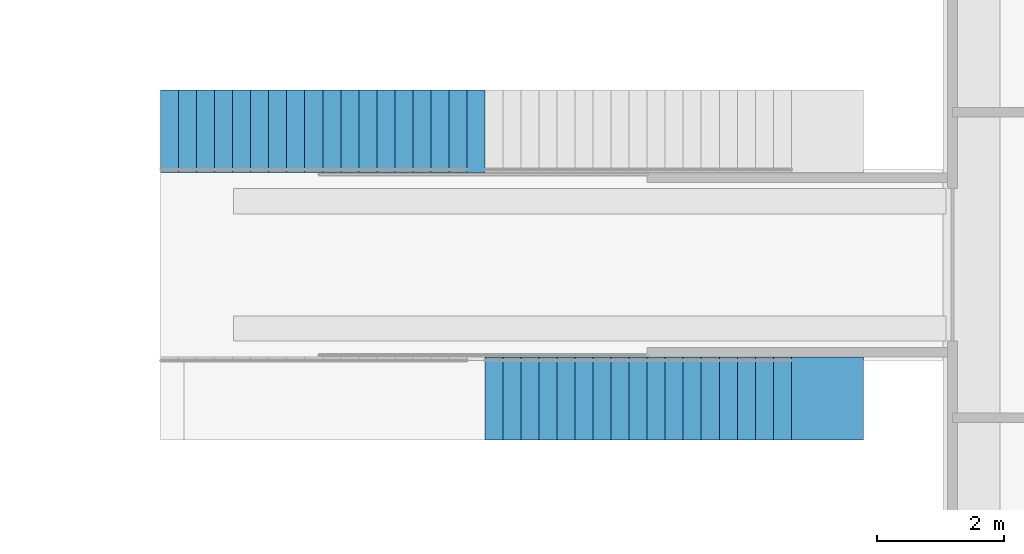
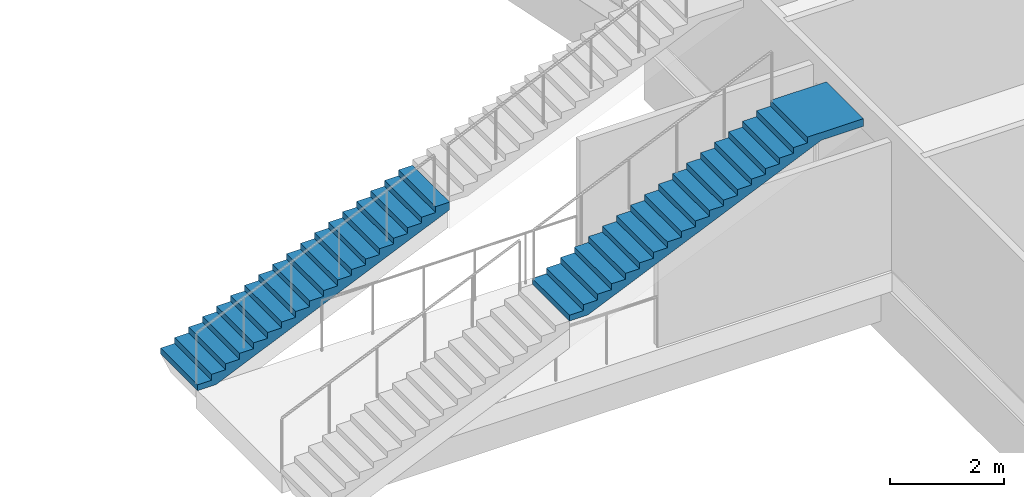
# One storey, part 140 of 175: 2 stair flights, 2 elements without a shape of their own.
"""IFC4 building model written with IfcOpenShell, lengths in metres."""

from ifc_helpers import new_model, si_unit, direction, frame, origin, place, context, subcontext, project, spatial, faceted_brep, material, type_object, element, aggregate, save


model = new_model("IFC4")

# Units and contexts
model_context = context("Model", 3, precision=1e-05, world=origin(), true_north=direction((0.0, 1.0)))
body_context = subcontext(model_context, "Body", "Model", "MODEL_VIEW")
ifc_project = project(units=[si_unit("LENGTHUNIT", "METRE"), si_unit("AREAUNIT", "SQUARE_METRE"), si_unit("VOLUMEUNIT", "CUBIC_METRE"), si_unit("PLANEANGLEUNIT", "RADIAN"), si_unit("MASSUNIT", "GRAM", prefix="KILO")], contexts=[model_context])

# Site, building, storey
site_placement = place(None, origin())
site = spatial("IfcSite", under=ifc_project, at=site_placement, CompositionType="ELEMENT")
building_placement = place(site_placement, origin())
building = spatial("IfcBuilding", under=site, at=building_placement, Name="Ogive Plaza Stadium", CompositionType="ELEMENT")
storey_placement = place(building_placement, origin())
storey = spatial("IfcBuildingStorey", under=building, at=storey_placement, Name="L00", CompositionType="ELEMENT", Elevation=0.0)

# Stair, stair flight
ifc_material_1 = material(Name="Concrete C40/50", Category="concrete")
stair_type = type_object("IfcStairType", Name="Aisle stair", PredefinedType="STRAIGHT_RUN_STAIR", material=ifc_material_1)
stair_1_placement = place(storey_placement, origin())
stair_1 = element("IfcStair", 1, at=stair_1_placement, inside=storey, type_object=stair_type, Name="Aisle stair SA01L", PredefinedType="STRAIGHT_RUN_STAIR")
ifc_material_2 = material(Name="Concrete C40/50", Category="concrete")
stair_flight_type = type_object("IfcStairFlightType", Name="Aisle stair flight", PredefinedType="STRAIGHT", material=ifc_material_2)
stair_flight_1_placement = place(storey_placement, frame((54.25, 42.89990234375, 2.25), z_axis=(0.0, 0.0, 1.0), x_axis=(1.0, 0.0, 0.0)))
stair_flight_1 = element("IfcStairFlight", 2, at=stair_flight_1_placement, type_object=stair_flight_type, Name="SA01L flight 2", NumberOfRisers=18, NumberOfTreads=17, PredefinedType="STRAIGHT", RiserHeight=0.125, TreadLength=0.283333333, context=body_context, shape_type="Brep", body=[
    faceted_brep([(0.371337890625, -0.64990234375, 0.0), (5.10009765625, -0.64990234375, 2.086181640625), (5.949951171875, -0.64990234375, 2.086181640625), (5.949951171875, -0.64990234375, 2.25), (4.816650390625, -0.64990234375, 2.25), (4.816650390625, -0.64990234375, 2.125), (4.533447265625, -0.64990234375, 2.125), (4.533447265625, -0.64990234375, 2.0), (4.25, -0.64990234375, 2.0), (4.25, -0.64990234375, 1.875), (3.966552734375, -0.64990234375, 1.875), (3.966552734375, -0.64990234375, 1.75), (3.683349609375, -0.64990234375, 1.75), (3.683349609375, -0.64990234375, 1.625), (3.39990234375, -0.64990234375, 1.625), (3.39990234375, -0.64990234375, 1.5), (3.11669921875, -0.64990234375, 1.5), (3.11669921875, -0.64990234375, 1.375), (2.833251953125, -0.64990234375, 1.375), (2.833251953125, -0.64990234375, 1.25), (2.550048828125, -0.64990234375, 1.25), (2.550048828125, -0.64990234375, 1.125), (2.2666015625, -0.64990234375, 1.125), (2.2666015625, -0.64990234375, 1.0), (1.9833984375, -0.64990234375, 1.0), (1.9833984375, -0.64990234375, 0.875), (1.699951171875, -0.64990234375, 0.875), (1.699951171875, -0.64990234375, 0.75), (1.416748046875, -0.64990234375, 0.75), (1.416748046875, -0.64990234375, 0.625), (1.13330078125, -0.64990234375, 0.625), (1.13330078125, -0.64990234375, 0.5), (0.85009765625, -0.64990234375, 0.5), (0.85009765625, -0.64990234375, 0.375), (0.566650390625, -0.64990234375, 0.375), (0.566650390625, -0.64990234375, 0.25), (0.283447265625, -0.64990234375, 0.25), (0.283447265625, -0.64990234375, 0.125), (0.0, -0.64990234375, 0.125), (0.0, -0.64990234375, 0.0), (0.0, 0.64990234375, 0.0), (0.0, 0.64990234375, 0.125), (0.283447265625, 0.64990234375, 0.125), (0.283447265625, 0.64990234375, 0.25), (0.566650390625, 0.64990234375, 0.25), (0.566650390625, 0.64990234375, 0.375), (0.85009765625, 0.64990234375, 0.375), (0.85009765625, 0.64990234375, 0.5), (1.13330078125, 0.64990234375, 0.5), (1.13330078125, 0.64990234375, 0.625), (1.416748046875, 0.64990234375, 0.625), (1.416748046875, 0.64990234375, 0.75), (1.699951171875, 0.64990234375, 0.75), (1.699951171875, 0.64990234375, 0.875), (1.9833984375, 0.64990234375, 0.875), (1.9833984375, 0.64990234375, 1.0), (2.2666015625, 0.64990234375, 1.0), (2.2666015625, 0.64990234375, 1.125), (2.550048828125, 0.64990234375, 1.125), (2.550048828125, 0.64990234375, 1.25), (2.833251953125, 0.64990234375, 1.25), (2.833251953125, 0.64990234375, 1.375), (3.11669921875, 0.64990234375, 1.375), (3.11669921875, 0.64990234375, 1.5), (3.39990234375, 0.64990234375, 1.5), (3.39990234375, 0.64990234375, 1.625), (3.683349609375, 0.64990234375, 1.625), (3.683349609375, 0.64990234375, 1.75), (3.966552734375, 0.64990234375, 1.75), (3.966552734375, 0.64990234375, 1.875), (4.25, 0.64990234375, 1.875), (4.25, 0.64990234375, 2.0), (4.533447265625, 0.64990234375, 2.0), (4.533447265625, 0.64990234375, 2.125), (4.816650390625, 0.64990234375, 2.125), (4.816650390625, 0.64990234375, 2.25), (5.949951171875, 0.64990234375, 2.25), (5.949951171875, 0.64990234375, 2.086181640625), (5.10009765625, 0.64990234375, 2.086181640625), (0.371337890625, 0.64990234375, 0.0), (0.371337890625, -0.324951171875, 0.0), (5.10009765625, -0.324951171875, 2.086181640625), (0.371337890625, 0.0, 0.0), (5.10009765625, 0.0, 2.086181640625), (0.371337890625, 0.324951171875, 0.0), (5.10009765625, 0.324951171875, 2.086181640625), (5.949951171875, -0.324951171875, 2.086181640625), (5.949951171875, 0.0, 2.086181640625), (5.949951171875, 0.324951171875, 2.086181640625), (5.949951171875, -0.324951171875, 2.25), (5.949951171875, 0.0, 2.25), (5.949951171875, 0.324951171875, 2.25), (4.816650390625, -0.324951171875, 2.25), (4.816650390625, 0.0, 2.25), (4.816650390625, 0.324951171875, 2.25), (4.816650390625, -0.324951171875, 2.125), (4.816650390625, 0.0, 2.125), (4.816650390625, 0.324951171875, 2.125), (4.533447265625, -0.324951171875, 2.125), (4.533447265625, 0.0, 2.125), (4.533447265625, 0.324951171875, 2.125), (4.533447265625, -0.324951171875, 2.0), (4.533447265625, 0.0, 2.0), (4.533447265625, 0.324951171875, 2.0), (4.25, -0.324951171875, 2.0), (4.25, 0.0, 2.0), (4.25, 0.324951171875, 2.0), (4.25, -0.324951171875, 1.875), (4.25, 0.0, 1.875), (4.25, 0.324951171875, 1.875), (3.966552734375, -0.324951171875, 1.875), (3.966552734375, 0.0, 1.875), (3.966552734375, 0.324951171875, 1.875), (3.966552734375, -0.324951171875, 1.75), (3.966552734375, 0.0, 1.75), (3.966552734375, 0.324951171875, 1.75), (3.683349609375, -0.324951171875, 1.75), (3.683349609375, 0.0, 1.75), (3.683349609375, 0.324951171875, 1.75), (3.683349609375, -0.324951171875, 1.625), (3.683349609375, 0.0, 1.625), (3.683349609375, 0.324951171875, 1.625), (3.39990234375, -0.324951171875, 1.625), (3.39990234375, 0.0, 1.625), (3.39990234375, 0.324951171875, 1.625), (3.39990234375, -0.324951171875, 1.5), (3.39990234375, 0.0, 1.5), (3.39990234375, 0.324951171875, 1.5), (3.11669921875, -0.324951171875, 1.5), (3.11669921875, 0.0, 1.5), (3.11669921875, 0.324951171875, 1.5), (3.11669921875, -0.324951171875, 1.375), (3.11669921875, 0.0, 1.375), (3.11669921875, 0.324951171875, 1.375), (2.833251953125, -0.324951171875, 1.375), (2.833251953125, 0.0, 1.375), (2.833251953125, 0.324951171875, 1.375), (2.833251953125, -0.324951171875, 1.25), (2.833251953125, 0.0, 1.25), (2.833251953125, 0.324951171875, 1.25), (2.550048828125, -0.324951171875, 1.25), (2.550048828125, 0.0, 1.25), (2.550048828125, 0.324951171875, 1.25), (2.550048828125, -0.324951171875, 1.125), (2.550048828125, 0.0, 1.125), (2.550048828125, 0.324951171875, 1.125), (2.2666015625, -0.324951171875, 1.125), (2.2666015625, 0.0, 1.125), (2.2666015625, 0.324951171875, 1.125), (2.2666015625, -0.324951171875, 1.0), (2.2666015625, 0.0, 1.0), (2.2666015625, 0.324951171875, 1.0), (1.9833984375, -0.324951171875, 1.0), (1.9833984375, 0.0, 1.0), (1.9833984375, 0.324951171875, 1.0), (1.9833984375, -0.324951171875, 0.875), (1.9833984375, 0.0, 0.875), (1.9833984375, 0.324951171875, 0.875), (1.699951171875, -0.324951171875, 0.875), (1.699951171875, 0.0, 0.875), (1.699951171875, 0.324951171875, 0.875), (1.699951171875, -0.324951171875, 0.75), (1.699951171875, 0.0, 0.75), (1.699951171875, 0.324951171875, 0.75), (1.416748046875, -0.324951171875, 0.75), (1.416748046875, 0.0, 0.75), (1.416748046875, 0.324951171875, 0.75), (1.416748046875, -0.324951171875, 0.625), (1.416748046875, 0.0, 0.625), (1.416748046875, 0.324951171875, 0.625), (1.13330078125, -0.324951171875, 0.625), (1.13330078125, 0.0, 0.625), (1.13330078125, 0.324951171875, 0.625), (1.13330078125, -0.324951171875, 0.5), (1.13330078125, 0.0, 0.5), (1.13330078125, 0.324951171875, 0.5), (0.85009765625, -0.324951171875, 0.5), (0.85009765625, 0.0, 0.5), (0.85009765625, 0.324951171875, 0.5), (0.85009765625, -0.324951171875, 0.375), (0.85009765625, 0.0, 0.375), (0.85009765625, 0.324951171875, 0.375), (0.566650390625, -0.324951171875, 0.375), (0.566650390625, 0.0, 0.375), (0.566650390625, 0.324951171875, 0.375), (0.566650390625, -0.324951171875, 0.25), (0.566650390625, 0.0, 0.25), (0.566650390625, 0.324951171875, 0.25), (0.283447265625, -0.324951171875, 0.25), (0.283447265625, 0.0, 0.25), (0.283447265625, 0.324951171875, 0.25), (0.283447265625, -0.324951171875, 0.125), (0.283447265625, 0.0, 0.125), (0.283447265625, 0.324951171875, 0.125), (0.0, -0.324951171875, 0.125), (0.0, 0.0, 0.125), (0.0, 0.324951171875, 0.125), (0.0, -0.324951171875, 0.0), (0.0, 0.0, 0.0), (0.0, 0.324951171875, 0.0)], [[[0, 1, 2, 3, 4, 5, 6, 7, 8, 9, 10, 11, 12, 13, 14, 15, 16, 17, 18, 19, 20, 21, 22, 23, 24, 25, 26, 27, 28, 29, 30, 31, 32, 33, 34, 35, 36, 37, 38, 39]], [[40, 41, 42, 43, 44, 45, 46, 47, 48, 49, 50, 51, 52, 53, 54, 55, 56, 57, 58, 59, 60, 61, 62, 63, 64, 65, 66, 67, 68, 69, 70, 71, 72, 73, 74, 75, 76, 77, 78, 79]], [[0, 80, 81, 1]], [[80, 82, 83, 81]], [[82, 84, 85, 83]], [[84, 79, 78, 85]], [[1, 81, 86, 2]], [[81, 83, 87, 86]], [[83, 85, 88, 87]], [[85, 78, 77, 88]], [[2, 86, 89, 3]], [[86, 87, 90, 89]], [[87, 88, 91, 90]], [[88, 77, 76, 91]], [[3, 89, 92, 4]], [[89, 90, 93, 92]], [[90, 91, 94, 93]], [[91, 76, 75, 94]], [[4, 92, 95, 5]], [[92, 93, 96, 95]], [[93, 94, 97, 96]], [[94, 75, 74, 97]], [[5, 95, 98, 6]], [[95, 96, 99, 98]], [[96, 97, 100, 99]], [[97, 74, 73, 100]], [[6, 98, 101, 7]], [[98, 99, 102, 101]], [[99, 100, 103, 102]], [[100, 73, 72, 103]], [[7, 101, 104, 8]], [[101, 102, 105, 104]], [[102, 103, 106, 105]], [[103, 72, 71, 106]], [[8, 104, 107, 9]], [[104, 105, 108, 107]], [[105, 106, 109, 108]], [[106, 71, 70, 109]], [[9, 107, 110, 10]], [[107, 108, 111, 110]], [[108, 109, 112, 111]], [[109, 70, 69, 112]], [[10, 110, 113, 11]], [[110, 111, 114, 113]], [[111, 112, 115, 114]], [[112, 69, 68, 115]], [[11, 113, 116, 12]], [[113, 114, 117, 116]], [[114, 115, 118, 117]], [[115, 68, 67, 118]], [[12, 116, 119, 13]], [[116, 117, 120, 119]], [[117, 118, 121, 120]], [[118, 67, 66, 121]], [[13, 119, 122, 14]], [[119, 120, 123, 122]], [[120, 121, 124, 123]], [[121, 66, 65, 124]], [[14, 122, 125, 15]], [[122, 123, 126, 125]], [[123, 124, 127, 126]], [[124, 65, 64, 127]], [[15, 125, 128, 16]], [[125, 126, 129, 128]], [[126, 127, 130, 129]], [[127, 64, 63, 130]], [[16, 128, 131, 17]], [[128, 129, 132, 131]], [[129, 130, 133, 132]], [[130, 63, 62, 133]], [[17, 131, 134, 18]], [[131, 132, 135, 134]], [[132, 133, 136, 135]], [[133, 62, 61, 136]], [[18, 134, 137, 19]], [[134, 135, 138, 137]], [[135, 136, 139, 138]], [[136, 61, 60, 139]], [[19, 137, 140, 20]], [[137, 138, 141, 140]], [[138, 139, 142, 141]], [[139, 60, 59, 142]], [[20, 140, 143, 21]], [[140, 141, 144, 143]], [[141, 142, 145, 144]], [[142, 59, 58, 145]], [[21, 143, 146, 22]], [[143, 144, 147, 146]], [[144, 145, 148, 147]], [[145, 58, 57, 148]], [[22, 146, 149, 23]], [[146, 147, 150, 149]], [[147, 148, 151, 150]], [[148, 57, 56, 151]], [[23, 149, 152, 24]], [[149, 150, 153, 152]], [[150, 151, 154, 153]], [[151, 56, 55, 154]], [[24, 152, 155, 25]], [[152, 153, 156, 155]], [[153, 154, 157, 156]], [[154, 55, 54, 157]], [[25, 155, 158, 26]], [[155, 156, 159, 158]], [[156, 157, 160, 159]], [[157, 54, 53, 160]], [[26, 158, 161, 27]], [[158, 159, 162, 161]], [[159, 160, 163, 162]], [[160, 53, 52, 163]], [[27, 161, 164, 28]], [[161, 162, 165, 164]], [[162, 163, 166, 165]], [[163, 52, 51, 166]], [[28, 164, 167, 29]], [[164, 165, 168, 167]], [[165, 166, 169, 168]], [[166, 51, 50, 169]], [[29, 167, 170, 30]], [[167, 168, 171, 170]], [[168, 169, 172, 171]], [[169, 50, 49, 172]], [[30, 170, 173, 31]], [[170, 171, 174, 173]], [[171, 172, 175, 174]], [[172, 49, 48, 175]], [[31, 173, 176, 32]], [[173, 174, 177, 176]], [[174, 175, 178, 177]], [[175, 48, 47, 178]], [[32, 176, 179, 33]], [[176, 177, 180, 179]], [[177, 178, 181, 180]], [[178, 47, 46, 181]], [[33, 179, 182, 34]], [[179, 180, 183, 182]], [[180, 181, 184, 183]], [[181, 46, 45, 184]], [[34, 182, 185, 35]], [[182, 183, 186, 185]], [[183, 184, 187, 186]], [[184, 45, 44, 187]], [[35, 185, 188, 36]], [[185, 186, 189, 188]], [[186, 187, 190, 189]], [[187, 44, 43, 190]], [[36, 188, 191, 37]], [[188, 189, 192, 191]], [[189, 190, 193, 192]], [[190, 43, 42, 193]], [[37, 191, 194, 38]], [[191, 192, 195, 194]], [[192, 193, 196, 195]], [[193, 42, 41, 196]], [[38, 194, 197, 39]], [[194, 195, 198, 197]], [[195, 196, 199, 198]], [[196, 41, 40, 199]], [[39, 197, 80, 0]], [[197, 198, 82, 80]], [[198, 199, 84, 82]], [[199, 40, 79, 84]]]),
])
aggregate(stair_1, [stair_flight_1])

stair_2_placement = place(storey_placement, origin())
stair_2 = element("IfcStair", 3, at=stair_2_placement, inside=storey, type_object=stair_type, Name="Aisle stair SA01R", PredefinedType="STRAIGHT_RUN_STAIR")
stair_flight_2_placement = place(storey_placement, frame((49.14990234375, 47.10009765625, 0.0), z_axis=(0.0, 0.0, 1.0), x_axis=(1.0, 0.0, 0.0)))
stair_flight_2 = element("IfcStairFlight", 4, at=stair_flight_2_placement, type_object=stair_flight_type, Name="SA01R flight 1", NumberOfRisers=18, NumberOfTreads=17, PredefinedType="STRAIGHT", RiserHeight=0.125, TreadLength=0.283333333, context=body_context, shape_type="Brep", body=[
    faceted_brep([(0.371337890625, -0.64990234375, 0.0), (5.10009765625, -0.64990234375, 2.086181640625), (5.10009765625, -0.64990234375, 2.25), (4.816650390625, -0.64990234375, 2.25), (4.816650390625, -0.64990234375, 2.125), (4.533447265625, -0.64990234375, 2.125), (4.533447265625, -0.64990234375, 2.0), (4.25, -0.64990234375, 2.0), (4.25, -0.64990234375, 1.875), (3.966552734375, -0.64990234375, 1.875), (3.966552734375, -0.64990234375, 1.75), (3.683349609375, -0.64990234375, 1.75), (3.683349609375, -0.64990234375, 1.625), (3.39990234375, -0.64990234375, 1.625), (3.39990234375, -0.64990234375, 1.5), (3.11669921875, -0.64990234375, 1.5), (3.11669921875, -0.64990234375, 1.375), (2.833251953125, -0.64990234375, 1.375), (2.833251953125, -0.64990234375, 1.25), (2.550048828125, -0.64990234375, 1.25), (2.550048828125, -0.64990234375, 1.125), (2.2666015625, -0.64990234375, 1.125), (2.2666015625, -0.64990234375, 1.0), (1.9833984375, -0.64990234375, 1.0), (1.9833984375, -0.64990234375, 0.875), (1.699951171875, -0.64990234375, 0.875), (1.699951171875, -0.64990234375, 0.75), (1.416748046875, -0.64990234375, 0.75), (1.416748046875, -0.64990234375, 0.625), (1.13330078125, -0.64990234375, 0.625), (1.13330078125, -0.64990234375, 0.5), (0.85009765625, -0.64990234375, 0.5), (0.85009765625, -0.64990234375, 0.375), (0.566650390625, -0.64990234375, 0.375), (0.566650390625, -0.64990234375, 0.25), (0.283447265625, -0.64990234375, 0.25), (0.283447265625, -0.64990234375, 0.125), (0.0, -0.64990234375, 0.125), (0.0, -0.64990234375, 0.0), (0.0, 0.64990234375, 0.0), (0.0, 0.64990234375, 0.125), (0.283447265625, 0.64990234375, 0.125), (0.283447265625, 0.64990234375, 0.25), (0.566650390625, 0.64990234375, 0.25), (0.566650390625, 0.64990234375, 0.375), (0.85009765625, 0.64990234375, 0.375), (0.85009765625, 0.64990234375, 0.5), (1.13330078125, 0.64990234375, 0.5), (1.13330078125, 0.64990234375, 0.625), (1.416748046875, 0.64990234375, 0.625), (1.416748046875, 0.64990234375, 0.75), (1.699951171875, 0.64990234375, 0.75), (1.699951171875, 0.64990234375, 0.875), (1.9833984375, 0.64990234375, 0.875), (1.9833984375, 0.64990234375, 1.0), (2.2666015625, 0.64990234375, 1.0), (2.2666015625, 0.64990234375, 1.125), (2.550048828125, 0.64990234375, 1.125), (2.550048828125, 0.64990234375, 1.25), (2.833251953125, 0.64990234375, 1.25), (2.833251953125, 0.64990234375, 1.375), (3.11669921875, 0.64990234375, 1.375), (3.11669921875, 0.64990234375, 1.5), (3.39990234375, 0.64990234375, 1.5), (3.39990234375, 0.64990234375, 1.625), (3.683349609375, 0.64990234375, 1.625), (3.683349609375, 0.64990234375, 1.75), (3.966552734375, 0.64990234375, 1.75), (3.966552734375, 0.64990234375, 1.875), (4.25, 0.64990234375, 1.875), (4.25, 0.64990234375, 2.0), (4.533447265625, 0.64990234375, 2.0), (4.533447265625, 0.64990234375, 2.125), (4.816650390625, 0.64990234375, 2.125), (4.816650390625, 0.64990234375, 2.25), (5.10009765625, 0.64990234375, 2.25), (5.10009765625, 0.64990234375, 2.086181640625), (0.371337890625, 0.64990234375, 0.0), (0.371337890625, -0.324951171875, 0.0), (5.10009765625, -0.324951171875, 2.086181640625), (0.371337890625, 0.0, 0.0), (5.10009765625, 0.0, 2.086181640625), (0.371337890625, 0.324951171875, 0.0), (5.10009765625, 0.324951171875, 2.086181640625), (5.10009765625, -0.324951171875, 2.25), (5.10009765625, 0.0, 2.25), (5.10009765625, 0.324951171875, 2.25), (4.816650390625, -0.324951171875, 2.25), (4.816650390625, 0.0, 2.25), (4.816650390625, 0.324951171875, 2.25), (4.816650390625, -0.324951171875, 2.125), (4.816650390625, 0.0, 2.125), (4.816650390625, 0.324951171875, 2.125), (4.533447265625, -0.324951171875, 2.125), (4.533447265625, 0.0, 2.125), (4.533447265625, 0.324951171875, 2.125), (4.533447265625, -0.324951171875, 2.0), (4.533447265625, 0.0, 2.0), (4.533447265625, 0.324951171875, 2.0), (4.25, -0.324951171875, 2.0), (4.25, 0.0, 2.0), (4.25, 0.324951171875, 2.0), (4.25, -0.324951171875, 1.875), (4.25, 0.0, 1.875), (4.25, 0.324951171875, 1.875), (3.966552734375, -0.324951171875, 1.875), (3.966552734375, 0.0, 1.875), (3.966552734375, 0.324951171875, 1.875), (3.966552734375, -0.324951171875, 1.75), (3.966552734375, 0.0, 1.75), (3.966552734375, 0.324951171875, 1.75), (3.683349609375, -0.324951171875, 1.75), (3.683349609375, 0.0, 1.75), (3.683349609375, 0.324951171875, 1.75), (3.683349609375, -0.324951171875, 1.625), (3.683349609375, 0.0, 1.625), (3.683349609375, 0.324951171875, 1.625), (3.39990234375, -0.324951171875, 1.625), (3.39990234375, 0.0, 1.625), (3.39990234375, 0.324951171875, 1.625), (3.39990234375, -0.324951171875, 1.5), (3.39990234375, 0.0, 1.5), (3.39990234375, 0.324951171875, 1.5), (3.11669921875, -0.324951171875, 1.5), (3.11669921875, 0.0, 1.5), (3.11669921875, 0.324951171875, 1.5), (3.11669921875, -0.324951171875, 1.375), (3.11669921875, 0.0, 1.375), (3.11669921875, 0.324951171875, 1.375), (2.833251953125, -0.324951171875, 1.375), (2.833251953125, 0.0, 1.375), (2.833251953125, 0.324951171875, 1.375), (2.833251953125, -0.324951171875, 1.25), (2.833251953125, 0.0, 1.25), (2.833251953125, 0.324951171875, 1.25), (2.550048828125, -0.324951171875, 1.25), (2.550048828125, 0.0, 1.25), (2.550048828125, 0.324951171875, 1.25), (2.550048828125, -0.324951171875, 1.125), (2.550048828125, 0.0, 1.125), (2.550048828125, 0.324951171875, 1.125), (2.2666015625, -0.324951171875, 1.125), (2.2666015625, 0.0, 1.125), (2.2666015625, 0.324951171875, 1.125), (2.2666015625, -0.324951171875, 1.0), (2.2666015625, 0.0, 1.0), (2.2666015625, 0.324951171875, 1.0), (1.9833984375, -0.324951171875, 1.0), (1.9833984375, 0.0, 1.0), (1.9833984375, 0.324951171875, 1.0), (1.9833984375, -0.324951171875, 0.875), (1.9833984375, 0.0, 0.875), (1.9833984375, 0.324951171875, 0.875), (1.699951171875, -0.324951171875, 0.875), (1.699951171875, 0.0, 0.875), (1.699951171875, 0.324951171875, 0.875), (1.699951171875, -0.324951171875, 0.75), (1.699951171875, 0.0, 0.75), (1.699951171875, 0.324951171875, 0.75), (1.416748046875, -0.324951171875, 0.75), (1.416748046875, 0.0, 0.75), (1.416748046875, 0.324951171875, 0.75), (1.416748046875, -0.324951171875, 0.625), (1.416748046875, 0.0, 0.625), (1.416748046875, 0.324951171875, 0.625), (1.13330078125, -0.324951171875, 0.625), (1.13330078125, 0.0, 0.625), (1.13330078125, 0.324951171875, 0.625), (1.13330078125, -0.324951171875, 0.5), (1.13330078125, 0.0, 0.5), (1.13330078125, 0.324951171875, 0.5), (0.85009765625, -0.324951171875, 0.5), (0.85009765625, 0.0, 0.5), (0.85009765625, 0.324951171875, 0.5), (0.85009765625, -0.324951171875, 0.375), (0.85009765625, 0.0, 0.375), (0.85009765625, 0.324951171875, 0.375), (0.566650390625, -0.324951171875, 0.375), (0.566650390625, 0.0, 0.375), (0.566650390625, 0.324951171875, 0.375), (0.566650390625, -0.324951171875, 0.25), (0.566650390625, 0.0, 0.25), (0.566650390625, 0.324951171875, 0.25), (0.283447265625, -0.324951171875, 0.25), (0.283447265625, 0.0, 0.25), (0.283447265625, 0.324951171875, 0.25), (0.283447265625, -0.324951171875, 0.125), (0.283447265625, 0.0, 0.125), (0.283447265625, 0.324951171875, 0.125), (0.0, -0.324951171875, 0.125), (0.0, 0.0, 0.125), (0.0, 0.324951171875, 0.125), (0.0, -0.324951171875, 0.0), (0.0, 0.0, 0.0), (0.0, 0.324951171875, 0.0)], [[[0, 1, 2, 3, 4, 5, 6, 7, 8, 9, 10, 11, 12, 13, 14, 15, 16, 17, 18, 19, 20, 21, 22, 23, 24, 25, 26, 27, 28, 29, 30, 31, 32, 33, 34, 35, 36, 37, 38]], [[39, 40, 41, 42, 43, 44, 45, 46, 47, 48, 49, 50, 51, 52, 53, 54, 55, 56, 57, 58, 59, 60, 61, 62, 63, 64, 65, 66, 67, 68, 69, 70, 71, 72, 73, 74, 75, 76, 77]], [[0, 78, 79, 1]], [[78, 80, 81, 79]], [[80, 82, 83, 81]], [[82, 77, 76, 83]], [[1, 79, 84, 2]], [[79, 81, 85, 84]], [[81, 83, 86, 85]], [[83, 76, 75, 86]], [[2, 84, 87, 3]], [[84, 85, 88, 87]], [[85, 86, 89, 88]], [[86, 75, 74, 89]], [[3, 87, 90, 4]], [[87, 88, 91, 90]], [[88, 89, 92, 91]], [[89, 74, 73, 92]], [[4, 90, 93, 5]], [[90, 91, 94, 93]], [[91, 92, 95, 94]], [[92, 73, 72, 95]], [[5, 93, 96, 6]], [[93, 94, 97, 96]], [[94, 95, 98, 97]], [[95, 72, 71, 98]], [[6, 96, 99, 7]], [[96, 97, 100, 99]], [[97, 98, 101, 100]], [[98, 71, 70, 101]], [[7, 99, 102, 8]], [[99, 100, 103, 102]], [[100, 101, 104, 103]], [[101, 70, 69, 104]], [[8, 102, 105, 9]], [[102, 103, 106, 105]], [[103, 104, 107, 106]], [[104, 69, 68, 107]], [[9, 105, 108, 10]], [[105, 106, 109, 108]], [[106, 107, 110, 109]], [[107, 68, 67, 110]], [[10, 108, 111, 11]], [[108, 109, 112, 111]], [[109, 110, 113, 112]], [[110, 67, 66, 113]], [[11, 111, 114, 12]], [[111, 112, 115, 114]], [[112, 113, 116, 115]], [[113, 66, 65, 116]], [[12, 114, 117, 13]], [[114, 115, 118, 117]], [[115, 116, 119, 118]], [[116, 65, 64, 119]], [[13, 117, 120, 14]], [[117, 118, 121, 120]], [[118, 119, 122, 121]], [[119, 64, 63, 122]], [[14, 120, 123, 15]], [[120, 121, 124, 123]], [[121, 122, 125, 124]], [[122, 63, 62, 125]], [[15, 123, 126, 16]], [[123, 124, 127, 126]], [[124, 125, 128, 127]], [[125, 62, 61, 128]], [[16, 126, 129, 17]], [[126, 127, 130, 129]], [[127, 128, 131, 130]], [[128, 61, 60, 131]], [[17, 129, 132, 18]], [[129, 130, 133, 132]], [[130, 131, 134, 133]], [[131, 60, 59, 134]], [[18, 132, 135, 19]], [[132, 133, 136, 135]], [[133, 134, 137, 136]], [[134, 59, 58, 137]], [[19, 135, 138, 20]], [[135, 136, 139, 138]], [[136, 137, 140, 139]], [[137, 58, 57, 140]], [[20, 138, 141, 21]], [[138, 139, 142, 141]], [[139, 140, 143, 142]], [[140, 57, 56, 143]], [[21, 141, 144, 22]], [[141, 142, 145, 144]], [[142, 143, 146, 145]], [[143, 56, 55, 146]], [[22, 144, 147, 23]], [[144, 145, 148, 147]], [[145, 146, 149, 148]], [[146, 55, 54, 149]], [[23, 147, 150, 24]], [[147, 148, 151, 150]], [[148, 149, 152, 151]], [[149, 54, 53, 152]], [[24, 150, 153, 25]], [[150, 151, 154, 153]], [[151, 152, 155, 154]], [[152, 53, 52, 155]], [[25, 153, 156, 26]], [[153, 154, 157, 156]], [[154, 155, 158, 157]], [[155, 52, 51, 158]], [[26, 156, 159, 27]], [[156, 157, 160, 159]], [[157, 158, 161, 160]], [[158, 51, 50, 161]], [[27, 159, 162, 28]], [[159, 160, 163, 162]], [[160, 161, 164, 163]], [[161, 50, 49, 164]], [[28, 162, 165, 29]], [[162, 163, 166, 165]], [[163, 164, 167, 166]], [[164, 49, 48, 167]], [[29, 165, 168, 30]], [[165, 166, 169, 168]], [[166, 167, 170, 169]], [[167, 48, 47, 170]], [[30, 168, 171, 31]], [[168, 169, 172, 171]], [[169, 170, 173, 172]], [[170, 47, 46, 173]], [[31, 171, 174, 32]], [[171, 172, 175, 174]], [[172, 173, 176, 175]], [[173, 46, 45, 176]], [[32, 174, 177, 33]], [[174, 175, 178, 177]], [[175, 176, 179, 178]], [[176, 45, 44, 179]], [[33, 177, 180, 34]], [[177, 178, 181, 180]], [[178, 179, 182, 181]], [[179, 44, 43, 182]], [[34, 180, 183, 35]], [[180, 181, 184, 183]], [[181, 182, 185, 184]], [[182, 43, 42, 185]], [[35, 183, 186, 36]], [[183, 184, 187, 186]], [[184, 185, 188, 187]], [[185, 42, 41, 188]], [[36, 186, 189, 37]], [[186, 187, 190, 189]], [[187, 188, 191, 190]], [[188, 41, 40, 191]], [[37, 189, 192, 38]], [[189, 190, 193, 192]], [[190, 191, 194, 193]], [[191, 40, 39, 194]], [[38, 192, 78, 0]], [[192, 193, 80, 78]], [[193, 194, 82, 80]], [[194, 39, 77, 82]]]),
])
aggregate(stair_2, [stair_flight_2])

save(model, "model.ifc")
